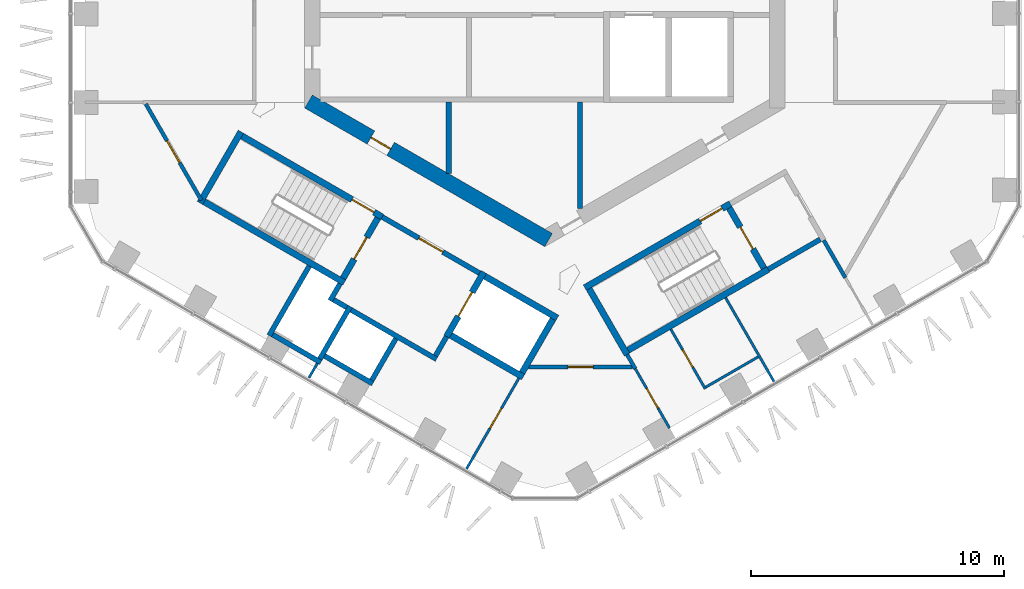
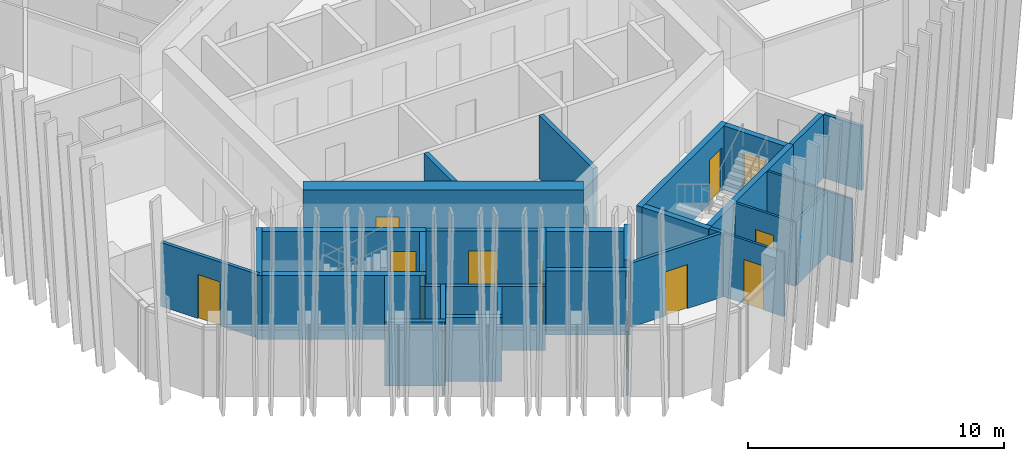
# One storey, part 13 of 21: 36 walls, 12 doors, 12 openings.
"""IFC4 building model written with IfcOpenShell, lengths in metres."""

from ifc_helpers import new_model, si_unit, direction, frame, frame_2d, origin, place, context, subcontext, project, spatial, rectangle, extrude, material, layer, layer_set, type_object, element, fill, save


model = new_model("IFC4")

# Units and contexts
model_context = context("Model", 3, precision=1e-05, world=origin(), true_north=direction((0.0, 1.0)))
body_context = subcontext(model_context, "Body", "Model", "MODEL_VIEW")
ifc_project = project(units=[si_unit("LENGTHUNIT", "METRE"), si_unit("AREAUNIT", "SQUARE_METRE"), si_unit("VOLUMEUNIT", "CUBIC_METRE"), si_unit("PLANEANGLEUNIT", "RADIAN"), si_unit("MASSUNIT", "GRAM", prefix="KILO")], contexts=[model_context])

# Site, building, storey
site_placement = place(None, origin())
site = spatial("IfcSite", under=ifc_project, at=site_placement, CompositionType="ELEMENT")
building_placement = place(site_placement, origin())
building = spatial("IfcBuilding", under=site, at=building_placement, Name="Ayvan Gate Tower", CompositionType="ELEMENT")
storey_placement = place(building_placement, frame((0.0, 0.0, 152.699951171875)))
storey = spatial("IfcBuildingStorey", under=building, at=storey_placement, Name="L40", CompositionType="ELEMENT", Elevation=152.699951171875)

# Wall, opening, door
ifc_material_1 = material(Name="Concrete C60/75", Category="concrete")
ifc_layer_1 = layer(ifc_material_1, 0.60009765625)
ifc_layer_set_1 = layer_set([ifc_layer_1], Name="Concrete C60/75")
wall_type_1 = type_object("IfcWallType", Name="Core wall 600 C60/75", PredefinedType="SHEAR", material=ifc_layer_set_1)
wall_1_placement = place(storey_placement, frame((-9.35009765625, -5.22509765625, 0.0), z_axis=(0.0, 0.0, 1.0), x_axis=(0.866023993627, -0.500002442456, 0.0)))
wall_1 = element("IfcWall", 1, at=wall_1_placement, inside=storey, type_object=wall_type_1, Name="CORE-L40-4", PredefinedType="SHEAR", context=body_context, shape_type="SweptSolid", body=[
    extrude(rectangle(XDim=10.9697265625, YDim=0.60009765625, at=frame_2d((5.48486328125, 0.0))), origin(), (0.0, 0.0, 1.0), 3.400146484375),
])
opening_1_placement = place(wall_1_placement, frame((2.85302734375, 0.0, 0.0)))
opening_1 = element("IfcOpeningElement", 2, at=opening_1_placement, cuts=wall_1, Name="Opening L40-D47", PredefinedType="OPENING", context=body_context, shape_type="SweptSolid", body=[
    extrude(rectangle(XDim=0.89990234375, YDim=2.10009765625, at=frame_2d((0.449951171875, 1.050048828125))), frame((0.0, 0.31005859375, 0.0), z_axis=(0.0, -1.0, 0.0), x_axis=(1.0, 0.0, 0.0)), (0.0, 0.0, 1.0), 0.6201171875),
])
ifc_material_2 = material(Name="Timber door leaf", Category="wood")
door_type_1 = type_object("IfcDoorType", Name="DT-900", OperationType="NOTDEFINED", PredefinedType="DOOR", material=ifc_material_2)
door_1_placement = place(opening_1_placement, origin())
door_1 = element("IfcDoor", 3, at=door_1_placement, inside=storey, type_object=door_type_1, Name="CD-L40-47", OperationType="SINGLE_SWING_LEFT", OverallHeight=2.10009765625, OverallWidth=0.89990234375, PredefinedType="DOOR", context=body_context, shape_type="SweptSolid", body=[
    extrude(rectangle(XDim=0.89990234375, YDim=2.10009765625, at=frame_2d((0.449951171875, 1.050048828125))), frame((0.0, 0.02490234375, 0.0), z_axis=(0.0, -1.0, 0.0), x_axis=(1.0, 0.0, 0.0)), (0.0, 0.0, 1.0), 0.050048828125),
])
fill(opening_1, door_1)

ifc_material_3 = material(Name="Plasterboard on steel stud", Category="steel")
ifc_layer_2 = layer(ifc_material_3, 0.14990234375)
ifc_layer_set_2 = layer_set([ifc_layer_2], Name="Plasterboard on steel stud")
wall_type_2 = type_object("IfcWallType", Name="WT-CORR-150", PredefinedType="PARTITIONING", material=ifc_layer_set_2)
wall_2_placement = place(storey_placement, frame((-13.58837890625, -9.135986328125, 0.0), z_axis=(0.0, 0.0, 1.0), x_axis=(-0.50001224981, 0.866018331238, 0.0)))
wall_2 = element("IfcWall", 4, at=wall_2_placement, inside=storey, type_object=wall_type_2, Name="IW-L40-007", PredefinedType="PARTITIONING", context=body_context, shape_type="SweptSolid", body=[
    extrude(rectangle(XDim=4.39990234375, YDim=0.14990234375, at=frame_2d((2.199951171875, 0.0))), origin(), (0.0, 0.0, 1.0), 3.050048828125),
])
opening_2_placement = place(wall_2_placement, frame((1.717041015625, 0.0, 0.0)))
opening_2 = element("IfcOpeningElement", 5, at=opening_2_placement, cuts=wall_2, Name="Opening L40-D31", PredefinedType="OPENING", context=body_context, shape_type="SweptSolid", body=[
    extrude(rectangle(XDim=1.0, YDim=2.10009765625, at=frame_2d((0.5, 1.050048828125))), frame((0.0, 0.0849609375, 0.0), z_axis=(0.0, -1.0, 0.0), x_axis=(1.0, 0.0, 0.0)), (0.0, 0.0, 1.0), 0.169921875),
])
door_type_2 = type_object("IfcDoorType", Name="DT-1000", OperationType="NOTDEFINED", PredefinedType="DOOR", material=ifc_material_2)
door_2_placement = place(opening_2_placement, origin())
door_2 = element("IfcDoor", 6, at=door_2_placement, inside=storey, type_object=door_type_2, Name="ID-L40-031", OperationType="SINGLE_SWING_LEFT", OverallHeight=2.10009765625, OverallWidth=1.0, PredefinedType="DOOR", context=body_context, shape_type="SweptSolid", body=[
    extrude(rectangle(XDim=1.0, YDim=2.10009765625, at=frame_2d((0.5, 1.050048828125))), frame((0.0, 0.02490234375, 0.0), z_axis=(0.0, -1.0, 0.0), x_axis=(1.0, 0.0, 0.0)), (0.0, 0.0, 1.0), 0.050048828125),
])
fill(opening_2, door_2)

# Wall
wall_3_placement = place(storey_placement, frame((3.255615234375, -15.23876953125, 0.0), z_axis=(0.0, 0.0, 1.0), x_axis=(0.499982980259, -0.866035229914, 0.0)))
element("IfcWall", 7, at=wall_3_placement, inside=storey, type_object=wall_type_2, Name="IW-L40-067", PredefinedType="PARTITIONING", context=body_context, shape_type="SweptSolid", body=[
    extrude(rectangle(XDim=0.64892578125, YDim=0.14990234375, at=frame_2d((0.324462890625, 0.0))), origin(), (0.0, 0.0, 1.0), 3.050048828125),
])

# Wall, opening, door
wall_4_placement = place(storey_placement, frame((3.467529296875, -15.73583984375, 0.0), z_axis=(0.0, 0.0, 1.0), x_axis=(-1.0, 0.0, 0.0)))
wall_4 = element("IfcWall", 8, at=wall_4_placement, inside=storey, type_object=wall_type_2, Name="IW-L40-069", PredefinedType="PARTITIONING", context=body_context, shape_type="SweptSolid", body=[
    extrude(rectangle(XDim=4.11376953125, YDim=0.14990234375, at=frame_2d((2.056884765625, 0.0))), origin(), (0.0, 0.0, 1.0), 3.050048828125),
])
opening_3_placement = place(wall_4_placement, frame((1.556884765625, 0.0, 0.0)))
opening_3 = element("IfcOpeningElement", 9, at=opening_3_placement, cuts=wall_4, Name="Opening L40-D32", PredefinedType="OPENING", context=body_context, shape_type="SweptSolid", body=[
    extrude(rectangle(XDim=1.0, YDim=2.10009765625, at=frame_2d((0.5, 1.050048828125))), frame((0.0, 0.0849609375, 0.0), z_axis=(0.0, -1.0, 0.0), x_axis=(1.0, 0.0, 0.0)), (0.0, 0.0, 1.0), 0.169921875),
])
door_3_placement = place(opening_3_placement, origin())
door_3 = element("IfcDoor", 10, at=door_3_placement, inside=storey, type_object=door_type_2, Name="ID-L40-032", OperationType="SINGLE_SWING_RIGHT", OverallHeight=2.10009765625, OverallWidth=1.0, PredefinedType="DOOR", context=body_context, shape_type="SweptSolid", body=[
    extrude(rectangle(XDim=1.0, YDim=2.10009765625, at=frame_2d((0.5, 1.050048828125))), frame((0.0, 0.02490234375, 0.0), z_axis=(0.0, -1.0, 0.0), x_axis=(1.0, 0.0, 0.0)), (0.0, 0.0, 1.0), 0.050048828125),
])
fill(opening_3, door_3)

# Walls
wall_5_placement = place(storey_placement, frame((11.893798828125, -12.200927734375, 0.0), z_axis=(0.0, 0.0, 1.0), x_axis=(-0.499878701538, 0.866095424159, 0.0)))
element("IfcWall", 11, at=wall_5_placement, inside=storey, type_object=wall_type_2, Name="IW-L40-098", PredefinedType="PARTITIONING", context=body_context, shape_type="SweptSolid", body=[
    extrude(rectangle(XDim=1.71337890625, YDim=0.14990234375, at=frame_2d((0.856689453125, 0.0))), origin(), (0.0, 0.0, 1.0), 3.050048828125),
])
ifc_layer_3 = layer(ifc_material_3, 0.10009765625)
ifc_layer_set_3 = layer_set([ifc_layer_3], Name="Plasterboard on steel stud")
wall_type_3 = type_object("IfcWallType", Name="WT-PART-100", PredefinedType="PARTITIONING", material=ifc_layer_set_3)
wall_6_placement = place(storey_placement, frame((-9.0, -15.58837890625, 0.0), z_axis=(0.0, 0.0, 1.0), x_axis=(-0.500011643316, -0.866018681408, 0.0)))
element("IfcWall", 12, at=wall_6_placement, inside=storey, type_object=wall_type_3, Name="IW-L40-019", PredefinedType="PARTITIONING", context=body_context, shape_type="SweptSolid", body=[
    extrude(rectangle(XDim=0.65771484375, YDim=0.10009765625, at=frame_2d((0.328857421875, 0.0))), origin(), (0.0, 0.0, 1.0), 3.050048828125),
])

# Wall, opening, door
wall_7_placement = place(storey_placement, frame((-3.093505859375, -19.7578125, 0.0), z_axis=(0.0, 0.0, 1.0), x_axis=(0.500027577057, 0.866009481578, 0.0)))
wall_7 = element("IfcWall", 13, at=wall_7_placement, inside=storey, type_object=wall_type_3, Name="IW-L40-046", PredefinedType="PARTITIONING", context=body_context, shape_type="SweptSolid", body=[
    extrude(rectangle(XDim=4.132568359375, YDim=0.10009765625, at=frame_2d((2.06640625, 0.0))), origin(), (0.0, 0.0, 1.0), 3.050048828125),
])
opening_4_placement = place(wall_7_placement, frame((1.851806640625, 0.0, 0.0)))
opening_4 = element("IfcOpeningElement", 14, at=opening_4_placement, cuts=wall_7, Name="Opening L40-D33", PredefinedType="OPENING", context=body_context, shape_type="SweptSolid", body=[
    extrude(rectangle(XDim=0.89990234375, YDim=2.10009765625, at=frame_2d((0.449951171875, 1.050048828125))), frame((0.0, 0.06005859375, 0.0), z_axis=(0.0, -1.0, 0.0), x_axis=(1.0, 0.0, 0.0)), (0.0, 0.0, 1.0), 0.1201171875),
])
door_4_placement = place(opening_4_placement, origin())
door_4 = element("IfcDoor", 15, at=door_4_placement, inside=storey, type_object=door_type_1, Name="ID-L40-033", OperationType="SINGLE_SWING_LEFT", OverallHeight=2.10009765625, OverallWidth=0.89990234375, PredefinedType="DOOR", context=body_context, shape_type="SweptSolid", body=[
    extrude(rectangle(XDim=0.89990234375, YDim=2.10009765625, at=frame_2d((0.449951171875, 1.050048828125))), frame((0.0, 0.02490234375, 0.0), z_axis=(0.0, -1.0, 0.0), x_axis=(1.0, 0.0, 0.0)), (0.0, 0.0, 1.0), 0.050048828125),
])
fill(opening_4, door_4)

wall_8_placement = place(storey_placement, frame((3.580078125, -15.80078125, 0.0), z_axis=(0.0, 0.0, 1.0), x_axis=(0.499982159162, -0.866035703952, 0.0)))
wall_8 = element("IfcWall", 16, at=wall_8_placement, inside=storey, type_object=wall_type_3, Name="IW-L40-070", PredefinedType="PARTITIONING", context=body_context, shape_type="SweptSolid", body=[
    extrude(rectangle(XDim=2.71240234375, YDim=0.10009765625, at=frame_2d((1.356201171875, 0.0))), origin(), (0.0, 0.0, 1.0), 3.050048828125),
])
opening_5_placement = place(wall_8_placement, frame((0.90625, 0.0, 0.0)))
opening_5 = element("IfcOpeningElement", 17, at=opening_5_placement, cuts=wall_8, Name="Opening L40-D34", PredefinedType="OPENING", context=body_context, shape_type="SweptSolid", body=[
    extrude(rectangle(XDim=0.89990234375, YDim=2.10009765625, at=frame_2d((0.449951171875, 1.050048828125))), frame((0.0, 0.06005859375, 0.0), z_axis=(0.0, -1.0, 0.0), x_axis=(1.0, 0.0, 0.0)), (0.0, 0.0, 1.0), 0.1201171875),
])
door_5_placement = place(opening_5_placement, origin())
door_5 = element("IfcDoor", 18, at=door_5_placement, inside=storey, type_object=door_type_1, Name="ID-L40-034", OperationType="SINGLE_SWING_RIGHT", OverallHeight=2.10009765625, OverallWidth=0.89990234375, PredefinedType="DOOR", context=body_context, shape_type="SweptSolid", body=[
    extrude(rectangle(XDim=0.89990234375, YDim=2.10009765625, at=frame_2d((0.449951171875, 1.050048828125))), frame((0.0, 0.02490234375, 0.0), z_axis=(0.0, -1.0, 0.0), x_axis=(1.0, 0.0, 0.0)), (0.0, 0.0, 1.0), 0.050048828125),
])
fill(opening_5, door_5)

wall_9_placement = place(storey_placement, frame((4.987548828125, -14.23876953125, 0.0), z_axis=(0.0, 0.0, 1.0), x_axis=(0.500022328685, -0.866012511928, 0.0)))
wall_9 = element("IfcWall", 19, at=wall_9_placement, inside=storey, type_object=wall_type_3, Name="IW-L40-078", PredefinedType="PARTITIONING", context=body_context, shape_type="SweptSolid", body=[
    extrude(rectangle(XDim=2.72509765625, YDim=0.10009765625, at=frame_2d((1.362548828125, 0.0))), origin(), (0.0, 0.0, 1.0), 3.050048828125),
])
opening_6_placement = place(wall_9_placement, frame((0.9375, 0.0, 0.0)))
opening_6 = element("IfcOpeningElement", 20, at=opening_6_placement, cuts=wall_9, Name="Opening L40-D35", PredefinedType="OPENING", context=body_context, shape_type="SweptSolid", body=[
    extrude(rectangle(XDim=0.800048828125, YDim=2.10009765625, at=frame_2d((0.39990234375, 1.050048828125))), frame((0.0, 0.06005859375, 0.0), z_axis=(0.0, -1.0, 0.0), x_axis=(1.0, 0.0, 0.0)), (0.0, 0.0, 1.0), 0.1201171875),
])
door_type_3 = type_object("IfcDoorType", Name="DT-800", OperationType="NOTDEFINED", PredefinedType="DOOR", material=ifc_material_2)
door_6_placement = place(opening_6_placement, origin())
door_6 = element("IfcDoor", 21, at=door_6_placement, inside=storey, type_object=door_type_3, Name="ID-L40-035", OperationType="SINGLE_SWING_LEFT", OverallHeight=2.10009765625, OverallWidth=0.800048828125, PredefinedType="DOOR", context=body_context, shape_type="SweptSolid", body=[
    extrude(rectangle(XDim=0.800048828125, YDim=2.10009765625, at=frame_2d((0.39990234375, 1.050048828125))), frame((0.0, 0.02490234375, 0.0), z_axis=(0.0, -1.0, 0.0), x_axis=(1.0, 0.0, 0.0)), (0.0, 0.0, 1.0), 0.050048828125),
])
fill(opening_6, door_6)

# Walls
wall_10_placement = place(storey_placement, frame((6.368408203125, -16.530517578125, 0.0), z_axis=(0.0, 0.0, 1.0), x_axis=(0.866006032174, 0.500033551112, 0.0)))
element("IfcWall", 22, at=wall_10_placement, inside=storey, type_object=wall_type_3, Name="IW-L40-080", PredefinedType="PARTITIONING", context=body_context, shape_type="SweptSolid", body=[
    extrude(rectangle(XDim=2.400146484375, YDim=0.10009765625, at=frame_2d((1.2001953125, 0.0))), origin(), (0.0, 0.0, 1.0), 3.050048828125),
])
wall_11_placement = place(storey_placement, frame((7.152587890625, -12.98876953125, 0.0), z_axis=(0.0, 0.0, 1.0), x_axis=(0.500044099915, -0.86599994119, 0.0)))
element("IfcWall", 23, at=wall_11_placement, inside=storey, type_object=wall_type_3, Name="IW-L40-083", PredefinedType="PARTITIONING", context=body_context, shape_type="SweptSolid", body=[
    extrude(rectangle(XDim=3.832763671875, YDim=0.10009765625, at=frame_2d((1.91650390625, 0.0))), origin(), (0.0, 0.0, 1.0), 3.050048828125),
])
ifc_layer_4 = layer(ifc_material_3, 0.199951171875)
ifc_layer_set_4 = layer_set([ifc_layer_4], Name="Plasterboard on steel stud")
wall_type_4 = type_object("IfcWallType", Name="WT-PLUMB-200", PredefinedType="PLUMBINGWALL", material=ifc_layer_set_4)
wall_12_placement = place(storey_placement, frame((-10.9052734375, -14.488525390625, 0.0), z_axis=(0.0, 0.0, 1.0), x_axis=(0.499959856469, 0.866048579423, 0.0)))
element("IfcWall", 24, at=wall_12_placement, inside=storey, type_object=wall_type_4, Name="IW-L40-014", PredefinedType="PLUMBINGWALL", context=body_context, shape_type="SweptSolid", body=[
    extrude(rectangle(XDim=3.175048828125, YDim=0.199951171875, at=frame_2d((1.58740234375, 0.0))), origin(), (0.0, 0.0, 1.0), 3.050048828125),
])
wall_13_placement = place(storey_placement, frame((-8.86328125, -15.552001953125, 0.0), z_axis=(0.0, 0.0, 1.0), x_axis=(-0.866035918664, 0.499981787252, 0.0)))
element("IfcWall", 25, at=wall_13_placement, inside=storey, type_object=wall_type_4, Name="IW-L40-018", PredefinedType="PLUMBINGWALL", context=body_context, shape_type="SweptSolid", body=[
    extrude(rectangle(XDim=2.2001953125, YDim=0.199951171875, at=frame_2d((1.10009765625, 0.0))), origin(), (0.0, 0.0, 1.0), 3.050048828125),
])
wall_14_placement = place(storey_placement, frame((-8.492919921875, -13.110107421875, 0.0), z_axis=(0.0, 0.0, 1.0), x_axis=(0.500067724834, 0.865986299303, 0.0)))
element("IfcWall", 26, at=wall_14_placement, inside=storey, type_object=wall_type_4, Name="IW-L40-022", PredefinedType="PLUMBINGWALL", context=body_context, shape_type="SweptSolid", body=[
    extrude(rectangle(XDim=0.775390625, YDim=0.199951171875, at=frame_2d((0.3876953125, 0.0))), origin(), (0.0, 0.0, 1.0), 3.050048828125),
])
wall_15_placement = place(storey_placement, frame((-7.699951171875, -13.3369140625, 0.0), z_axis=(0.0, 0.0, 1.0), x_axis=(-0.500001309137, -0.866024647952, 0.0)))
element("IfcWall", 27, at=wall_15_placement, inside=storey, type_object=wall_type_4, Name="IW-L40-025", PredefinedType="PLUMBINGWALL", context=body_context, shape_type="SweptSolid", body=[
    extrude(rectangle(XDim=2.39990234375, YDim=0.199951171875, at=frame_2d((1.199951171875, 0.0))), origin(), (0.0, 0.0, 1.0), 3.050048828125),
])
wall_16_placement = place(storey_placement, frame((-7.83642578125, -13.373291015625, 0.0), z_axis=(0.0, 0.0, 1.0), x_axis=(-0.866232998003, 0.499640263761, 0.0)))
element("IfcWall", 28, at=wall_16_placement, inside=storey, type_object=wall_type_4, Name="IW-L40-026", PredefinedType="PLUMBINGWALL", context=body_context, shape_type="SweptSolid", body=[
    extrude(rectangle(XDim=0.60009765625, YDim=0.199951171875, at=frame_2d((0.300048828125, 0.0))), origin(), (0.0, 0.0, 1.0), 3.050048828125),
])
wall_17_placement = place(storey_placement, frame((-6.80810546875, -16.39208984375, 0.0), z_axis=(0.0, 0.0, 1.0), x_axis=(-0.866008176907, 0.50002983664, 0.0)))
element("IfcWall", 29, at=wall_17_placement, inside=storey, type_object=wall_type_4, Name="IW-L40-030", PredefinedType="PLUMBINGWALL", context=body_context, shape_type="SweptSolid", body=[
    extrude(rectangle(XDim=2.199951171875, YDim=0.199951171875, at=frame_2d((1.10009765625, 0.0))), origin(), (0.0, 0.0, 1.0), 3.050048828125),
])
wall_18_placement = place(storey_placement, frame((-5.894775390625, -14.610107421875, 0.0), z_axis=(0.0, 0.0, 1.0), x_axis=(-0.500022797313, -0.86601224135, 0.0)))
element("IfcWall", 30, at=wall_18_placement, inside=storey, type_object=wall_type_4, Name="IW-L40-034", PredefinedType="PLUMBINGWALL", context=body_context, shape_type="SweptSolid", body=[
    extrude(rectangle(XDim=1.89990234375, YDim=0.199951171875, at=frame_2d((0.949951171875, 0.0))), origin(), (0.0, 0.0, 1.0), 3.050048828125),
])

# Wall, opening, door
ifc_layer_5 = layer(ifc_material_3, 0.199951171875)
ifc_layer_set_5 = layer_set([ifc_layer_5], Name="Plasterboard on steel stud")
wall_type_5 = type_object("IfcWallType", Name="WT-RATED-200", PredefinedType="PARTITIONING", material=ifc_layer_set_5)
wall_19_placement = place(storey_placement, frame((-6.4345703125, -9.794921875, 0.0), z_axis=(0.0, 0.0, 1.0), x_axis=(0.866012907634, -0.500021643343, 0.0)))
wall_19 = element("IfcWall", 31, at=wall_19_placement, inside=storey, type_object=wall_type_5, Name="IW-L40-033", PredefinedType="PARTITIONING", context=body_context, shape_type="SweptSolid", body=[
    extrude(rectangle(XDim=4.449951171875, YDim=0.199951171875, at=frame_2d((2.22509765625, 0.0))), origin(), (0.0, 0.0, 1.0), 3.050048828125),
])
opening_7_placement = place(wall_19_placement, frame((1.675048828125, 0.0, 0.0)))
opening_7 = element("IfcOpeningElement", 32, at=opening_7_placement, cuts=wall_19, Name="Opening L40-D16", PredefinedType="OPENING", context=body_context, shape_type="SweptSolid", body=[
    extrude(rectangle(XDim=1.10009765625, YDim=2.10009765625, at=frame_2d((0.550048828125, 1.050048828125))), frame((0.0, 0.10986328125, 0.0), z_axis=(0.0, -1.0, 0.0), x_axis=(1.0, 0.0, 0.0)), (0.0, 0.0, 1.0), 0.219970703125),
])
door_type_4 = type_object("IfcDoorType", Name="DT-1100", OperationType="NOTDEFINED", PredefinedType="DOOR", material=ifc_material_2)
door_7_placement = place(opening_7_placement, origin())
door_7 = element("IfcDoor", 33, at=door_7_placement, inside=storey, type_object=door_type_4, Name="ID-L40-016", OperationType="SINGLE_SWING_RIGHT", OverallHeight=2.10009765625, OverallWidth=1.10009765625, PredefinedType="DOOR", context=body_context, shape_type="SweptSolid", body=[
    extrude(rectangle(XDim=1.10009765625, YDim=2.10009765625, at=frame_2d((0.550048828125, 1.050048828125))), frame((0.0, 0.02490234375, 0.0), z_axis=(0.0, -1.0, 0.0), x_axis=(1.0, 0.0, 0.0)), (0.0, 0.0, 1.0), 0.050048828125),
])
fill(opening_7, door_7)

# Walls
wall_20_placement = place(storey_placement, frame((-4.285888671875, -15.42333984375, 0.0), z_axis=(0.0, 0.0, 1.0), x_axis=(-0.866042777325, 0.499969906938, 0.0)))
element("IfcWall", 34, at=wall_20_placement, inside=storey, type_object=wall_type_5, Name="IW-L40-038", PredefinedType="PARTITIONING", context=body_context, shape_type="SweptSolid", body=[
    extrude(rectangle(XDim=3.900146484375, YDim=0.199951171875, at=frame_2d((1.9501953125, 0.0))), origin(), (0.0, 0.0, 1.0), 3.050048828125),
])
wall_21_placement = place(storey_placement, frame((-3.885009765625, -14.52880859375, 0.0), z_axis=(0.0, 0.0, 1.0), x_axis=(-0.499859285417, -0.866106630146, 0.0)))
element("IfcWall", 35, at=wall_21_placement, inside=storey, type_object=wall_type_5, Name="IW-L40-039", PredefinedType="PARTITIONING", context=body_context, shape_type="SweptSolid", body=[
    extrude(rectangle(XDim=0.875244140625, YDim=0.199951171875, at=frame_2d((0.4375, 0.0))), origin(), (0.0, 0.0, 1.0), 3.050048828125),
])
wall_22_placement = place(storey_placement, frame((-3.800048828125, -5.25, 0.0), z_axis=(0.0, 0.0, 1.0), x_axis=(0.0, -1.0, 0.0)))
element("IfcWall", 36, at=wall_22_placement, inside=storey, type_object=wall_type_5, Name="IW-L40-040", PredefinedType="PARTITIONING", context=body_context, shape_type="SweptSolid", body=[
    extrude(rectangle(XDim=2.8330078125, YDim=0.199951171875, at=frame_2d((1.41650390625, 0.0))), origin(), (0.0, 0.0, 1.0), 3.050048828125),
])
wall_23_placement = place(storey_placement, frame((1.39990234375, -5.25, 0.0), z_axis=(0.0, 0.0, 1.0), x_axis=(0.0, -1.0, 0.0)))
element("IfcWall", 37, at=wall_23_placement, inside=storey, type_object=wall_type_5, Name="IW-L40-060", PredefinedType="PARTITIONING", context=body_context, shape_type="SweptSolid", body=[
    extrude(rectangle(XDim=4.218505859375, YDim=0.199951171875, at=frame_2d((2.109375, 0.0))), origin(), (0.0, 0.0, 1.0), 3.050048828125),
])
wall_24_placement = place(storey_placement, frame((10.900634765625, -10.6806640625, 0.0), z_axis=(0.0, 0.0, 1.0), x_axis=(-0.866007538022, -0.500030943131, 0.0)))
element("IfcWall", 38, at=wall_24_placement, inside=storey, type_object=wall_type_5, Name="IW-L40-094", PredefinedType="PARTITIONING", context=body_context, shape_type="SweptSolid", body=[
    extrude(rectangle(XDim=2.374755859375, YDim=0.199951171875, at=frame_2d((1.1875, 0.0))), origin(), (0.0, 0.0, 1.0), 3.050048828125),
])
ifc_material_4 = material(Name="Concrete C50/60", Category="concrete")
ifc_layer_6 = layer(ifc_material_4, 0.25)
ifc_layer_set_6 = layer_set([ifc_layer_6], Name="Concrete C50/60")
wall_type_6 = type_object("IfcWallType", Name="WT-RC-250", PredefinedType="SHEAR", material=ifc_layer_set_6)
wall_25_placement = place(storey_placement, frame((-13.64794921875, -9.23876953125, 0.0), z_axis=(0.0, 0.0, 1.0), x_axis=(0.500017246033, 0.866015446554, 0.0)))
element("IfcWall", 39, at=wall_25_placement, inside=storey, type_object=wall_type_6, Name="IW-L40-008", PredefinedType="SHEAR", context=body_context, shape_type="SweptSolid", body=[
    extrude(rectangle(XDim=3.25, YDim=0.25, at=frame_2d((1.625, 0.0))), origin(), (0.0, 0.0, 1.0), 3.050048828125),
])

# Wall, opening, door
wall_26_placement = place(storey_placement, frame((-11.97705078125, -6.594970703125, 0.0), z_axis=(0.0, 0.0, 1.0), x_axis=(0.866025499775, -0.499999833739, 0.0)))
wall_26 = element("IfcWall", 40, at=wall_26_placement, inside=storey, type_object=wall_type_6, Name="IW-L40-010", PredefinedType="SHEAR", context=body_context, shape_type="SweptSolid", body=[
    extrude(rectangle(XDim=6.39990234375, YDim=0.25, at=frame_2d((3.199951171875, 0.0))), origin(), (0.0, 0.0, 1.0), 3.050048828125),
])
opening_8_placement = place(wall_26_placement, frame((5.02490234375, 0.0, 0.0)))
opening_8 = element("IfcOpeningElement", 41, at=opening_8_placement, cuts=wall_26, Name="Opening L40-D14", PredefinedType="OPENING", context=body_context, shape_type="SweptSolid", body=[
    extrude(rectangle(XDim=1.0, YDim=2.10009765625, at=frame_2d((0.5, 1.050048828125))), frame((0.0, 0.135009765625, 0.0), z_axis=(0.0, -1.0, 0.0), x_axis=(1.0, 0.0, 0.0)), (0.0, 0.0, 1.0), 0.27001953125),
])
door_8_placement = place(opening_8_placement, origin())
door_8 = element("IfcDoor", 42, at=door_8_placement, inside=storey, type_object=door_type_2, Name="ID-L40-014", OperationType="SINGLE_SWING_RIGHT", OverallHeight=2.10009765625, OverallWidth=1.0, PredefinedType="DOOR", context=body_context, shape_type="SweptSolid", body=[
    extrude(rectangle(XDim=1.0, YDim=2.10009765625, at=frame_2d((0.5, 1.050048828125))), frame((0.0, 0.02490234375, 0.0), z_axis=(0.0, -1.0, 0.0), x_axis=(1.0, 0.0, 0.0)), (0.0, 0.0, 1.0), 0.050048828125),
])
fill(opening_8, door_8)

# Wall
wall_27_placement = place(storey_placement, frame((-13.47705078125, -9.193115234375, 0.0), z_axis=(0.0, 0.0, 1.0), x_axis=(0.866025499775, -0.499999833739, 0.0)))
element("IfcWall", 43, at=wall_27_placement, inside=storey, type_object=wall_type_6, Name="IW-L40-017", PredefinedType="SHEAR", context=body_context, shape_type="SweptSolid", body=[
    extrude(rectangle(XDim=6.39990234375, YDim=0.25, at=frame_2d((3.199951171875, 0.0))), origin(), (0.0, 0.0, 1.0), 3.050048828125),
])

# Wall, opening, door
wall_28_placement = place(storey_placement, frame((-6.605224609375, -9.8408203125, 0.0), z_axis=(0.0, 0.0, 1.0), x_axis=(-0.499996545922, -0.866027397988, 0.0)))
wall_28 = element("IfcWall", 44, at=wall_28_placement, inside=storey, type_object=wall_type_6, Name="IW-L40-032", PredefinedType="SHEAR", context=body_context, shape_type="SweptSolid", body=[
    extrude(rectangle(XDim=2.75, YDim=0.25, at=frame_2d((1.375, 0.0))), origin(), (0.0, 0.0, 1.0), 3.050048828125),
])
opening_9_placement = place(wall_28_placement, frame((0.875, 0.0, 0.0)))
opening_9 = element("IfcOpeningElement", 45, at=opening_9_placement, cuts=wall_28, Name="Opening L40-D15", PredefinedType="OPENING", context=body_context, shape_type="SweptSolid", body=[
    extrude(rectangle(XDim=1.0, YDim=2.10009765625, at=frame_2d((0.5, 1.050048828125))), frame((0.0, 0.135009765625, 0.0), z_axis=(0.0, -1.0, 0.0), x_axis=(1.0, 0.0, 0.0)), (0.0, 0.0, 1.0), 0.27001953125),
])
door_9_placement = place(opening_9_placement, origin())
door_9 = element("IfcDoor", 46, at=door_9_placement, inside=storey, type_object=door_type_2, Name="ID-L40-015", OperationType="SINGLE_SWING_LEFT", OverallHeight=2.10009765625, OverallWidth=1.0, PredefinedType="DOOR", context=body_context, shape_type="SweptSolid", body=[
    extrude(rectangle(XDim=1.0, YDim=2.10009765625, at=frame_2d((0.5, 1.050048828125))), frame((0.0, 0.02490234375, 0.0), z_axis=(0.0, -1.0, 0.0), x_axis=(1.0, 0.0, 0.0)), (0.0, 0.0, 1.0), 0.050048828125),
])
fill(opening_9, door_9)

wall_29_placement = place(storey_placement, frame((-2.409912109375, -11.97412109375, 0.0), z_axis=(0.0, 0.0, 1.0), x_axis=(-0.500001826776, -0.866024349092, 0.0)))
wall_29 = element("IfcWall", 47, at=wall_29_placement, inside=storey, type_object=wall_type_6, Name="IW-L40-047", PredefinedType="SHEAR", context=body_context, shape_type="SweptSolid", body=[
    extrude(rectangle(XDim=2.9501953125, YDim=0.25, at=frame_2d((1.47509765625, 0.0))), origin(), (0.0, 0.0, 1.0), 3.050048828125),
])
opening_10_placement = place(wall_29_placement, frame((0.925048828125, 0.0, 0.0)))
opening_10 = element("IfcOpeningElement", 48, at=opening_10_placement, cuts=wall_29, Name="Opening L40-LD-FF2", PredefinedType="OPENING", context=body_context, shape_type="SweptSolid", body=[
    extrude(rectangle(XDim=1.10009765625, YDim=2.10009765625, at=frame_2d((0.550048828125, 1.050048828125))), frame((0.0, 0.135009765625, 0.0), z_axis=(0.0, -1.0, 0.0), x_axis=(1.0, 0.0, 0.0)), (0.0, 0.0, 1.0), 0.27001953125),
])
ifc_material_5 = material(Name="Stainless steel landing door", Category="steel")
door_type_5 = type_object("IfcDoorType", Name="DT-LANDING-1100", OperationType="SLIDING_TO_LEFT", PredefinedType="DOOR", material=ifc_material_5)
door_10_placement = place(opening_10_placement, origin())
door_10 = element("IfcDoor", 49, at=door_10_placement, inside=storey, type_object=door_type_5, Name="ID-L40-017", OperationType="SLIDING_TO_LEFT", OverallHeight=2.10009765625, OverallWidth=1.10009765625, PredefinedType="DOOR", context=body_context, shape_type="SweptSolid", body=[
    extrude(rectangle(XDim=1.10009765625, YDim=2.10009765625, at=frame_2d((0.550048828125, 1.050048828125))), frame((0.0, 0.02490234375, 0.0), z_axis=(0.0, -1.0, 0.0), x_axis=(1.0, 0.0, 0.0)), (0.0, 0.0, 1.0), 0.050048828125),
])
fill(opening_10, door_10)

# Walls
wall_30_placement = place(storey_placement, frame((-2.3642578125, -12.14501953125, 0.0), z_axis=(0.0, 0.0, 1.0), x_axis=(0.866040211805, -0.499974350878, 0.0)))
element("IfcWall", 50, at=wall_30_placement, inside=storey, type_object=wall_type_6, Name="IW-L40-048", PredefinedType="SHEAR", context=body_context, shape_type="SweptSolid", body=[
    extrude(rectangle(XDim=3.300048828125, YDim=0.25, at=frame_2d((1.64990234375, 0.0))), origin(), (0.0, 0.0, 1.0), 3.050048828125),
])
wall_31_placement = place(storey_placement, frame((-0.8564453125, -16.13330078125, 0.0), z_axis=(0.0, 0.0, 1.0), x_axis=(-0.866021716278, 0.500006386895, 0.0)))
element("IfcWall", 51, at=wall_31_placement, inside=storey, type_object=wall_type_6, Name="IW-L40-053", PredefinedType="SHEAR", context=body_context, shape_type="SweptSolid", body=[
    extrude(rectangle(XDim=3.2998046875, YDim=0.25, at=frame_2d((1.64990234375, 0.0))), origin(), (0.0, 0.0, 1.0), 3.050048828125),
])
wall_32_placement = place(storey_placement, frame((-0.902099609375, -15.96240234375, 0.0), z_axis=(0.0, 0.0, 1.0), x_axis=(0.500061746146, 0.865989751695, 0.0)))
element("IfcWall", 52, at=wall_32_placement, inside=storey, type_object=wall_type_6, Name="IW-L40-054", PredefinedType="SHEAR", context=body_context, shape_type="SweptSolid", body=[
    extrude(rectangle(XDim=2.449951171875, YDim=0.25, at=frame_2d((1.22509765625, 0.0))), origin(), (0.0, 0.0, 1.0), 3.400146484375),
])

# Wall, opening, door
wall_33_placement = place(storey_placement, frame((1.584716796875, -12.594970703125, 0.0), z_axis=(0.0, 0.0, 1.0), x_axis=(0.866036417653, 0.499980922934, 0.0)))
wall_33 = element("IfcWall", 53, at=wall_33_placement, inside=storey, type_object=wall_type_6, Name="IW-L40-061", PredefinedType="SHEAR", context=body_context, shape_type="SweptSolid", body=[
    extrude(rectangle(XDim=6.650146484375, YDim=0.25, at=frame_2d((3.3251953125, 0.0))), origin(), (0.0, 0.0, 1.0), 3.050048828125),
])
opening_11_placement = place(wall_33_placement, frame((5.27490234375, 0.0, 0.0)))
opening_11 = element("IfcOpeningElement", 54, at=opening_11_placement, cuts=wall_33, Name="Opening L40-D18", PredefinedType="OPENING", context=body_context, shape_type="SweptSolid", body=[
    extrude(rectangle(XDim=1.0, YDim=2.10009765625, at=frame_2d((0.5, 1.050048828125))), frame((0.0, 0.135009765625, 0.0), z_axis=(0.0, -1.0, 0.0), x_axis=(1.0, 0.0, 0.0)), (0.0, 0.0, 1.0), 0.27001953125),
])
door_11_placement = place(opening_11_placement, origin())
door_11 = element("IfcDoor", 55, at=door_11_placement, inside=storey, type_object=door_type_2, Name="ID-L40-018", OperationType="SINGLE_SWING_RIGHT", OverallHeight=2.10009765625, OverallWidth=1.0, PredefinedType="DOOR", context=body_context, shape_type="SweptSolid", body=[
    extrude(rectangle(XDim=1.0, YDim=2.10009765625, at=frame_2d((0.5, 1.050048828125))), frame((0.0, 0.02490234375, 0.0), z_axis=(0.0, -1.0, 0.0), x_axis=(1.0, 0.0, 0.0)), (0.0, 0.0, 1.0), 0.050048828125),
])
fill(opening_11, door_11)

# Walls
wall_34_placement = place(storey_placement, frame((3.255615234375, -15.23876953125, 0.0), z_axis=(0.0, 0.0, 1.0), x_axis=(-0.50002537861, 0.866010750942, 0.0)))
element("IfcWall", 56, at=wall_34_placement, inside=storey, type_object=wall_type_6, Name="IW-L40-068", PredefinedType="SHEAR", context=body_context, shape_type="SweptSolid", body=[
    extrude(rectangle(XDim=2.999755859375, YDim=0.25, at=frame_2d((1.5, 0.0))), origin(), (0.0, 0.0, 1.0), 3.050048828125),
])
wall_35_placement = place(storey_placement, frame((3.30126953125, -15.068115234375, 0.0), z_axis=(0.0, 0.0, 1.0), x_axis=(0.866035036182, 0.499983315828, 0.0)))
element("IfcWall", 57, at=wall_35_placement, inside=storey, type_object=wall_type_6, Name="IW-L40-079", PredefinedType="SHEAR", context=body_context, shape_type="SweptSolid", body=[
    extrude(rectangle(XDim=6.400146484375, YDim=0.25, at=frame_2d((3.2001953125, 0.0))), origin(), (0.0, 0.0, 1.0), 3.050048828125),
])

# Wall, opening, door
wall_36_placement = place(storey_placement, frame((7.298095703125, -9.44091796875, 0.0), z_axis=(0.0, 0.0, 1.0), x_axis=(0.500034990121, -0.866005201286, 0.0)))
wall_36 = element("IfcWall", 58, at=wall_36_placement, inside=storey, type_object=wall_type_6, Name="IW-L40-084", PredefinedType="SHEAR", context=body_context, shape_type="SweptSolid", body=[
    extrude(rectangle(XDim=2.749755859375, YDim=0.25, at=frame_2d((1.375, 0.0))), origin(), (0.0, 0.0, 1.0), 3.050048828125),
])
opening_12_placement = place(wall_36_placement, frame((0.875, 0.0, 0.0)))
opening_12 = element("IfcOpeningElement", 59, at=opening_12_placement, cuts=wall_36, Name="Opening L40-D20", PredefinedType="OPENING", context=body_context, shape_type="SweptSolid", body=[
    extrude(rectangle(XDim=1.0, YDim=2.10009765625, at=frame_2d((0.5, 1.050048828125))), frame((0.0, 0.135009765625, 0.0), z_axis=(0.0, -1.0, 0.0), x_axis=(1.0, 0.0, 0.0)), (0.0, 0.0, 1.0), 0.27001953125),
])
door_12_placement = place(opening_12_placement, origin())
door_12 = element("IfcDoor", 60, at=door_12_placement, inside=storey, type_object=door_type_2, Name="ID-L40-020", OperationType="SINGLE_SWING_RIGHT", OverallHeight=2.10009765625, OverallWidth=1.0, PredefinedType="DOOR", context=body_context, shape_type="SweptSolid", body=[
    extrude(rectangle(XDim=1.0, YDim=2.10009765625, at=frame_2d((0.5, 1.050048828125))), frame((0.0, 0.02490234375, 0.0), z_axis=(0.0, -1.0, 0.0), x_axis=(1.0, 0.0, 0.0)), (0.0, 0.0, 1.0), 0.050048828125),
])
fill(opening_12, door_12)

save(model, "model.ifc")
